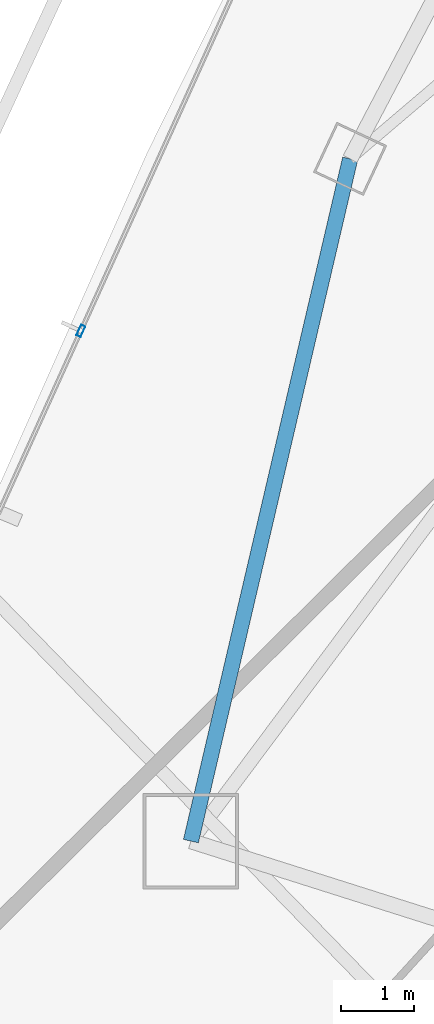
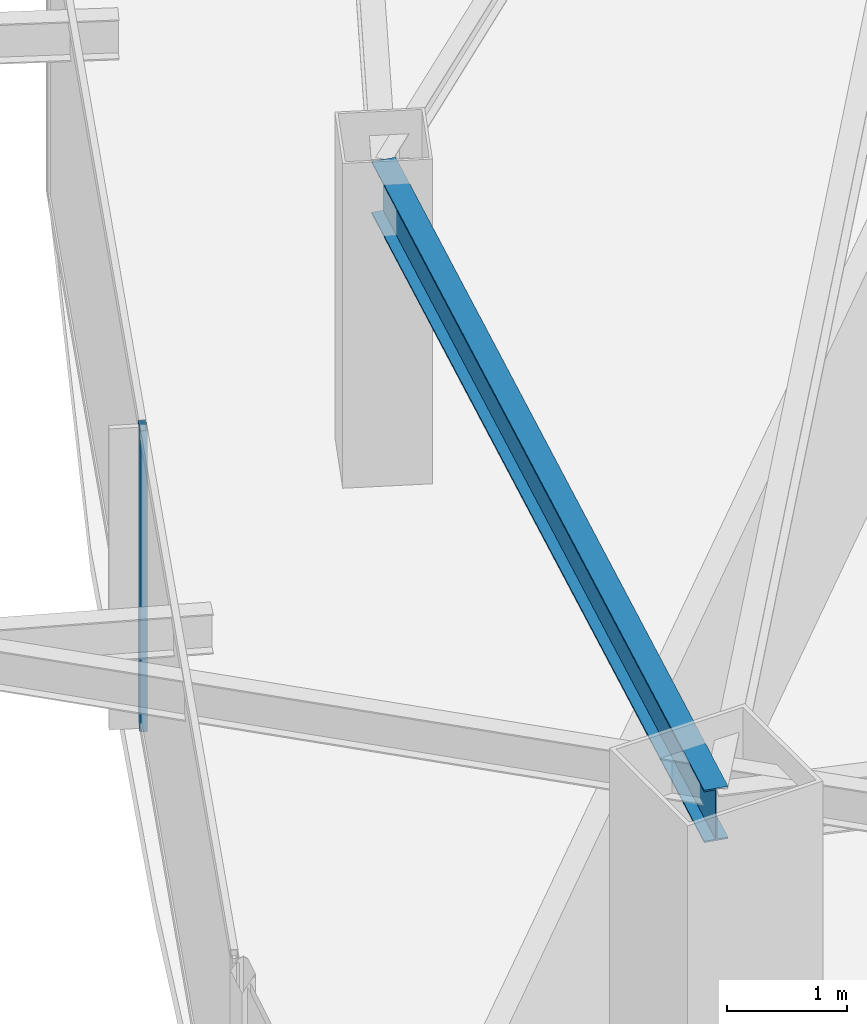
# One storey, part 6 of 34: 1 beam, 1 member, 1 element without a shape of its own.
"""IFC4 building model written with IfcOpenShell, lengths in metres."""

from ifc_helpers import new_model, si_unit, direction, frame, origin, origin_2d, place, context, subcontext, project, spatial, hollow_rectangle, i_section, extrude, material, layer, layer_set, material_profile, profile_set, type_object, element, aggregate, save


model = new_model("IFC4")

# Units and contexts
model_context = context("Model", 3, precision=1e-05, world=origin(), true_north=direction((0.0, 1.0)))
body_context = subcontext(model_context, "Body", "Model", "MODEL_VIEW")
ifc_project = project(units=[si_unit("LENGTHUNIT", "METRE"), si_unit("AREAUNIT", "SQUARE_METRE"), si_unit("VOLUMEUNIT", "CUBIC_METRE"), si_unit("PLANEANGLEUNIT", "RADIAN"), si_unit("MASSUNIT", "GRAM", prefix="KILO")], contexts=[model_context])

# Site, building, storey
site_placement = place(None, origin())
site = spatial("IfcSite", under=ifc_project, at=site_placement, CompositionType="ELEMENT")
building_placement = place(site_placement, origin())
building = spatial("IfcBuilding", under=site, at=building_placement, Name="Orvanel Arch Residences", CompositionType="ELEMENT")
storey_placement = place(building_placement, frame((0.0, 0.0, 199.699951171875)))
storey = spatial("IfcBuildingStorey", under=building, at=storey_placement, Name="L56", CompositionType="ELEMENT", Elevation=199.699951171875)

# Curtain wall, member
ifc_material_1 = material(Name="Bronze-anodised aluminium AA6063-T6", Category="aluminium")
ifc_layer = layer(ifc_material_1, 0.175048828125)
ifc_layer_set = layer_set([ifc_layer], Name="Bronze-anodised aluminium AA6063-T6")
curtain_wall_type = type_object("IfcCurtainWallType", Name="CW4-HI-SYS", PredefinedType="NOTDEFINED", material=ifc_layer_set)
curtain_wall_placement = place(storey_placement, origin())
curtain_wall = element("IfcCurtainWall", 1, at=curtain_wall_placement, inside=storey, type_object=curtain_wall_type, Name="L56 CW4-HI-SYS Unitised Curtain Wall", PredefinedType="NOTDEFINED")
ifc_material_profile_1 = material_profile(ifc_material_1, hollow_rectangle(XDim=0.06494140625, YDim=0.159912109375, WallThickness=0.00390625, at=origin_2d()), Name="ALU160x65x4")
ifc_profile_set_1 = profile_set([ifc_material_profile_1], Name="Bronze-anodised aluminium AA6063-T6")
member_type = type_object("IfcMemberType", Name="MUL-160x65", PredefinedType="MULLION", material=ifc_profile_set_1)
member_placement = place(storey_placement, frame((12.699951171875, 17.299560546875, 0.0), z_axis=(0.0, 0.0, 1.0), x_axis=(0.911289439148, -0.41176638777, 0.0)))
member = element("IfcMember", 2, at=member_placement, type_object=member_type, Name="CW-S4 mullion 2", PredefinedType="MULLION", context=body_context, shape_type="SweptSolid", body=[
    extrude(hollow_rectangle(XDim=0.06494140625, YDim=0.159912109375, WallThickness=0.00390625, at=origin_2d()), origin(), (0.0, 0.0, 1.0), 3.06005859375),
])
aggregate(curtain_wall, [member])

# Beam
ifc_material_2 = material(Name="Structural steel AS/NZS 3679.1 Grade 300 (300 MPa)", Category="steel")
ifc_material_profile_2 = material_profile(ifc_material_2, i_section(OverallWidth=0.208984375, OverallDepth=0.532958984375, WebThickness=0.01025390625, FlangeThickness=0.015625, at=origin_2d()), Name="530UB92.4")
ifc_profile_set_2 = profile_set([ifc_material_profile_2], Name="Structural steel AS/NZS 3679.1 Grade 300 (300 MPa)")
beam_type = type_object("IfcBeamType", Name="SP-530UB", PredefinedType="SPANDREL", material=ifc_profile_set_2)
beam_placement = place(storey_placement, frame((16.366943359375, 19.64208984375, 2.79296875), z_axis=(-0.227236087167, -0.973839699688, 0.0), x_axis=(0.973839699688, -0.227236087167, 0.0)))
element("IfcBeam", 3, at=beam_placement, inside=storey, type_object=beam_type, Name="L56 Perimeter Spandrel Beam 01", PredefinedType="SPANDREL", context=body_context, shape_type="SweptSolid", body=[
    extrude(i_section(OverallWidth=0.208984375, OverallDepth=0.532958984375, WebThickness=0.01025390625, FlangeThickness=0.015625, at=origin_2d()), origin(), (0.0, 0.0, 1.0), 9.54052734375),
])

save(model, "model.ifc")
